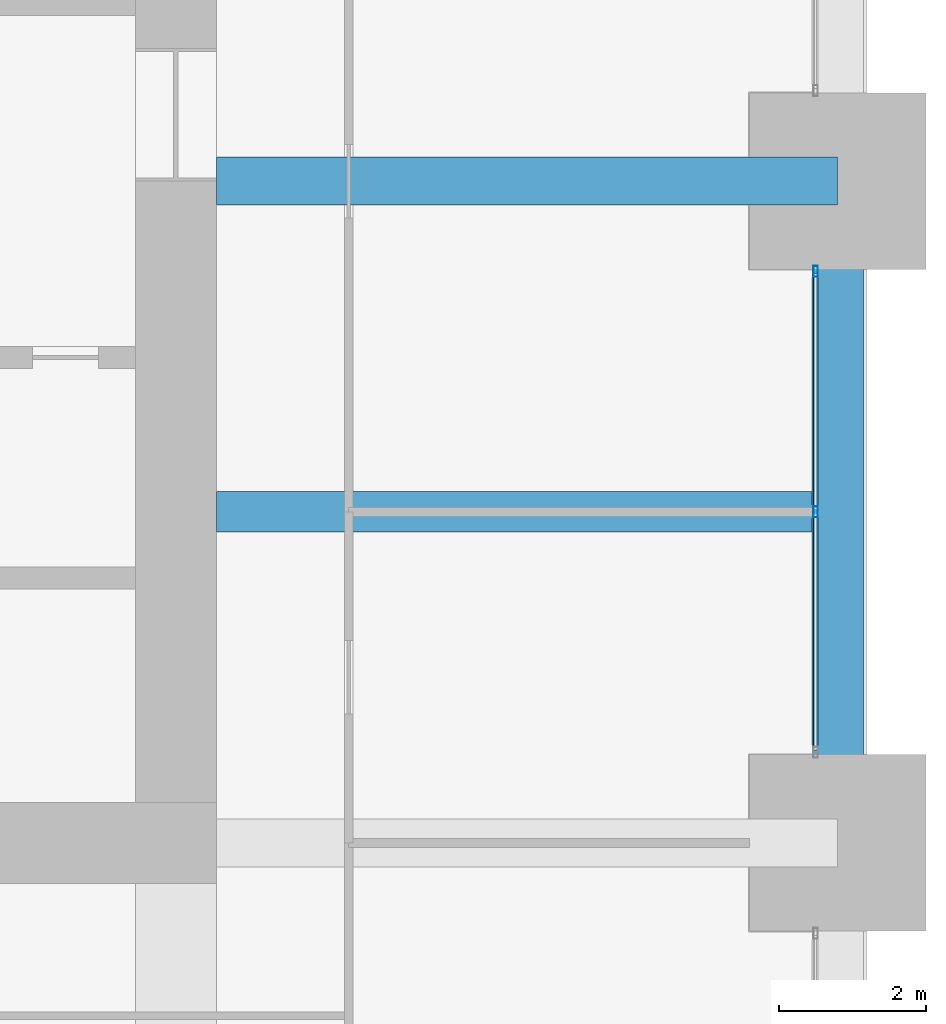
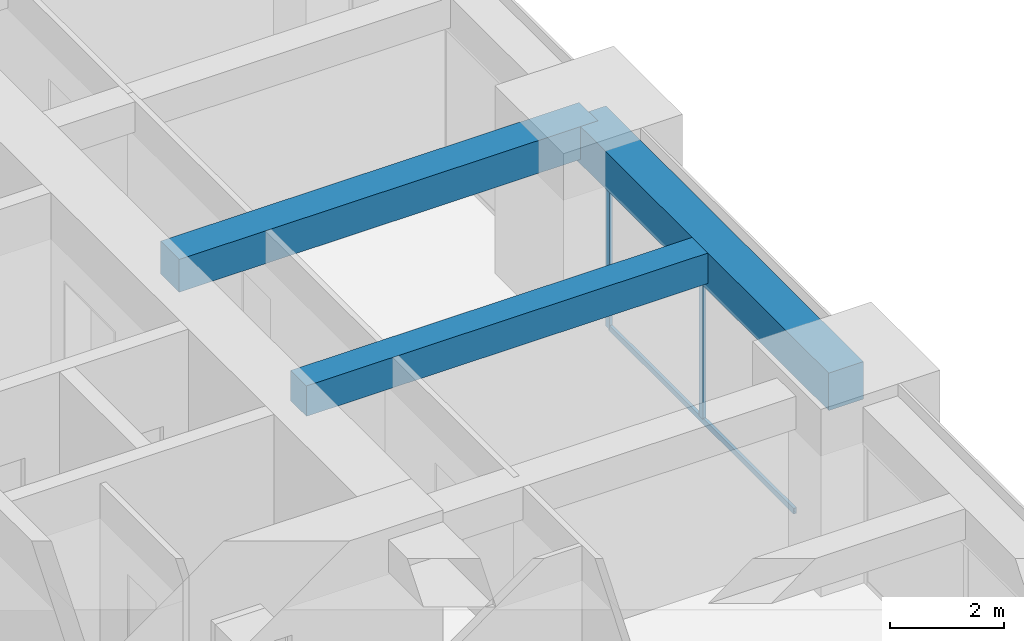
# One storey, part 18 of 33: 3 beams, 3 members, 1 element without a shape of its own.
"""IFC4 building model written with IfcOpenShell, lengths in metres."""

from ifc_helpers import new_model, si_unit, direction, frame, origin, origin_2d, place, context, subcontext, project, spatial, rectangle, hollow_rectangle, extrude, material, material_profile, profile_set, type_object, element, aggregate, save


model = new_model("IFC4")

# Units and contexts
model_context = context("Model", 3, precision=1e-05, world=origin(), true_north=direction((0.0, 1.0)))
body_context = subcontext(model_context, "Body", "Model", "MODEL_VIEW")
ifc_project = project(units=[si_unit("LENGTHUNIT", "METRE"), si_unit("AREAUNIT", "SQUARE_METRE"), si_unit("VOLUMEUNIT", "CUBIC_METRE"), si_unit("PLANEANGLEUNIT", "RADIAN"), si_unit("MASSUNIT", "GRAM", prefix="KILO")], contexts=[model_context])

# Site, building, storey
site_placement = place(None, origin())
site = spatial("IfcSite", under=ifc_project, at=site_placement, CompositionType="ELEMENT")
building_placement = place(site_placement, origin())
building = spatial("IfcBuilding", under=site, at=building_placement, Name="Zorevar Civic Tower", CompositionType="ELEMENT")
storey_placement = place(building_placement, frame((0.0, 0.0, 178.199951171875)))
storey = spatial("IfcBuildingStorey", under=building, at=storey_placement, Name="L43", CompositionType="ELEMENT", Elevation=178.199951171875)

# Beams
ifc_material_1 = material(Name="Concrete C50/60", Category="concrete")
ifc_material_profile_1 = material_profile(ifc_material_1, rectangle(XDim=0.550048828125, YDim=0.64990234375, at=origin_2d()), Name="RC 550x650")
ifc_profile_set_1 = profile_set([ifc_material_profile_1], Name="Concrete C50/60")
beam_type_1 = type_object("IfcBeamType", Name="Beam RC 550x650", PredefinedType="BEAM", material=ifc_profile_set_1)
beam_1_placement = place(storey_placement, frame((45.550048828125, 22.5, 3.425048828125), z_axis=(1.0, 0.0, 0.0), x_axis=(0.0, 1.0, 0.0)))
element("IfcBeam", 1, at=beam_1_placement, inside=storey, type_object=beam_type_1, Name="Secondary beam L44", PredefinedType="BEAM", context=body_context, shape_type="SweptSolid", body=[
    extrude(rectangle(XDim=0.550048828125, YDim=0.64990234375, at=origin_2d()), origin(), (0.0, 0.0, 1.0), 8.099853515625),
])
ifc_material_2 = material(Name="Concrete C50/60", Category="concrete")
ifc_material_profile_2 = material_profile(ifc_material_2, rectangle(XDim=0.64990234375, YDim=0.699951171875, at=origin_2d()), Name="RC 650x700")
ifc_profile_set_2 = profile_set([ifc_material_profile_2], Name="Concrete C50/60")
beam_type_2 = type_object("IfcBeamType", Name="Beam RC 650x700", PredefinedType="BEAM", material=ifc_profile_set_2)
beam_2_placement = place(storey_placement, frame((45.550048828125, 27.0, 3.400146484375), z_axis=(1.0, 0.0, 0.0), x_axis=(0.0, 1.0, 0.0)))
element("IfcBeam", 2, at=beam_2_placement, inside=storey, type_object=beam_type_2, Name="Girder L44", PredefinedType="BEAM", context=body_context, shape_type="SweptSolid", body=[
    extrude(rectangle(XDim=0.64990234375, YDim=0.699951171875, at=origin_2d()), origin(), (0.0, 0.0, 1.0), 8.449951171875),
])

# Curtain wall, members
ifc_material_3 = material(Name="Dark grey solar-control glass in black aluminium frame", Category="aluminium")
curtain_wall_type = type_object("IfcCurtainWallType", Name="Curtain wall CW4 high zone", PredefinedType="NOTDEFINED", material=ifc_material_3)
curtain_wall_placement = place(storey_placement, origin())
curtain_wall = element("IfcCurtainWall", 3, at=curtain_wall_placement, inside=storey, type_object=curtain_wall_type, Name="CW4 L43", PredefinedType="NOTDEFINED")
ifc_material_4 = material(Name="Aluminium, black anodised", Category="aluminium")
ifc_material_profile_3 = material_profile(ifc_material_4, hollow_rectangle(XDim=0.06005859375, YDim=0.14990234375, WallThickness=0.00390625, at=origin_2d()), Name="AL 150x60x4")
ifc_profile_set_3 = profile_set([ifc_material_profile_3], Name="Aluminium, black anodised")
member_type_1 = type_object("IfcMemberType", Name="CW4 mullion AL 150x60x4", PredefinedType="MULLION", material=ifc_profile_set_3)
member_1_placement = place(storey_placement, frame((53.699951171875, 22.5, 0.06005859375), z_axis=(0.0, 0.0, 1.0), x_axis=(-1.0, 0.0, 0.0)))
member_1 = element("IfcMember", 4, at=member_1_placement, type_object=member_type_1, Name="CW4 mullion 2", PredefinedType="MULLION", context=body_context, shape_type="SweptSolid", body=[
    extrude(hollow_rectangle(XDim=0.06005859375, YDim=0.14990234375, WallThickness=0.00390625, at=origin_2d()), origin(), (0.0, 0.0, 1.0), 2.889892578125),
])
member_2_placement = place(storey_placement, frame((53.699951171875, 25.77001953125, 0.0), z_axis=(0.0, 0.0, 1.0), x_axis=(-1.0, 0.0, 0.0)))
member_2 = element("IfcMember", 5, at=member_2_placement, type_object=member_type_1, Name="CW4 mullion 3", PredefinedType="MULLION", context=body_context, shape_type="SweptSolid", body=[
    extrude(hollow_rectangle(XDim=0.06005859375, YDim=0.14990234375, WallThickness=0.00390625, at=origin_2d()), origin(), (0.0, 0.0, 1.0), 2.949951171875),
])
ifc_material_5 = material(Name="Aluminium, black anodised", Category="aluminium")
ifc_material_profile_4 = material_profile(ifc_material_5, hollow_rectangle(XDim=0.06005859375, YDim=0.1201171875, WallThickness=0.0029296875, at=origin_2d()), Name="AL 120x60x3")
ifc_profile_set_4 = profile_set([ifc_material_profile_4], Name="Aluminium, black anodised")
member_type_2 = type_object("IfcMemberType", Name="CW4 transom AL 120x60x3", PredefinedType="USERDEFINED", material=ifc_profile_set_4)
member_3_placement = place(storey_placement, frame((53.699951171875, 19.260009765625, 0.030029296875), z_axis=(0.0, 1.0, 0.0), x_axis=(-1.0, 0.0, 0.0)))
member_3 = element("IfcMember", 6, at=member_3_placement, type_object=member_type_2, Name="CW4 sill transom", ObjectType="TRANSOM", PredefinedType="USERDEFINED", context=body_context, shape_type="SweptSolid", body=[
    extrude(hollow_rectangle(XDim=0.06005859375, YDim=0.1201171875, WallThickness=0.0029296875, at=origin_2d()), origin(), (0.0, 0.0, 1.0), 6.47998046875),
])
aggregate(curtain_wall, [member_1, member_2, member_3])

# Beam
ifc_material_6 = material(Name="Concrete C50/60", Category="concrete")
ifc_material_profile_5 = material_profile(ifc_material_6, rectangle(XDim=0.699951171875, YDim=0.800048828125, at=origin_2d()), Name="RC 700x800")
ifc_profile_set_5 = profile_set([ifc_material_profile_5], Name="Concrete C50/60")
beam_type_3 = type_object("IfcBeamType", Name="Edge beam RC 700x800", PredefinedType="SPANDREL", material=ifc_profile_set_5)
beam_3_placement = place(storey_placement, frame((54.0, 18.0, 3.35009765625), z_axis=(0.0, 1.0, 0.0), x_axis=(-1.0, 0.0, 0.0)))
element("IfcBeam", 7, at=beam_3_placement, inside=storey, type_object=beam_type_3, Name="Edge beam L44", PredefinedType="SPANDREL", context=body_context, shape_type="SweptSolid", body=[
    extrude(rectangle(XDim=0.699951171875, YDim=0.800048828125, at=origin_2d()), origin(), (0.0, 0.0, 1.0), 9.0),
])

save(model, "model.ifc")
